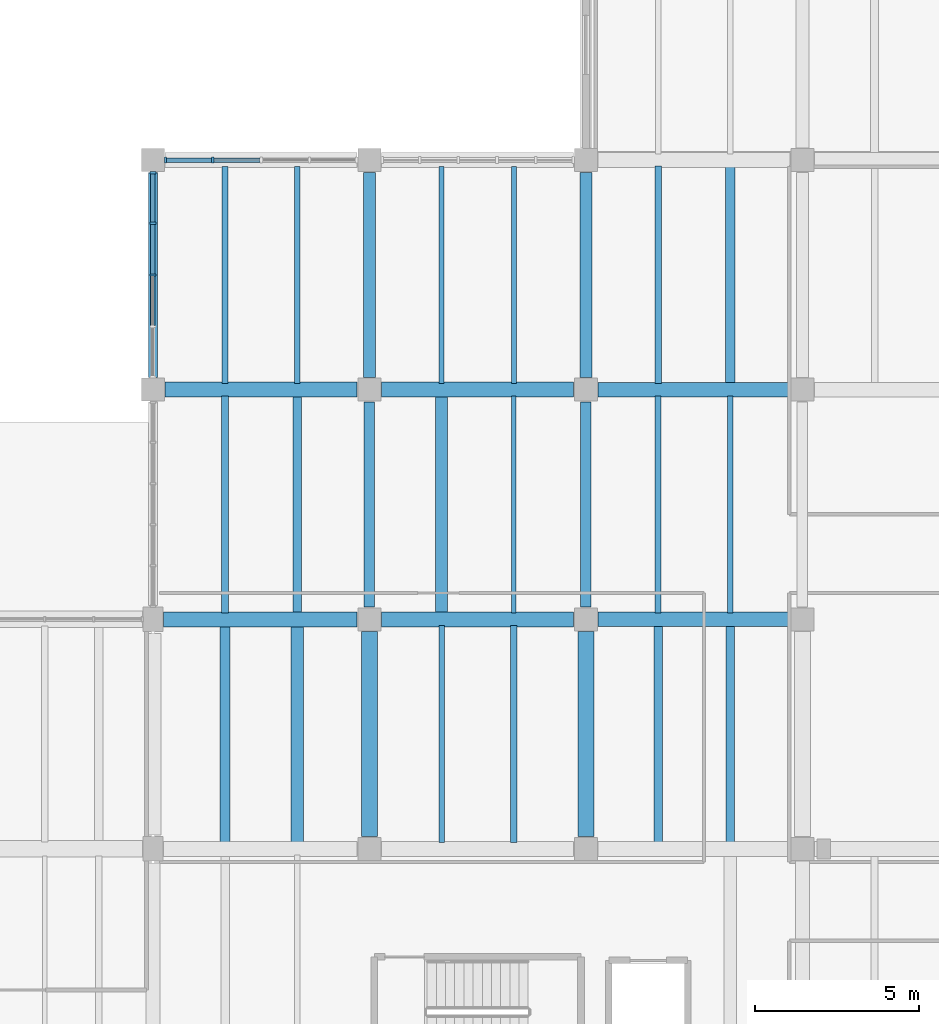
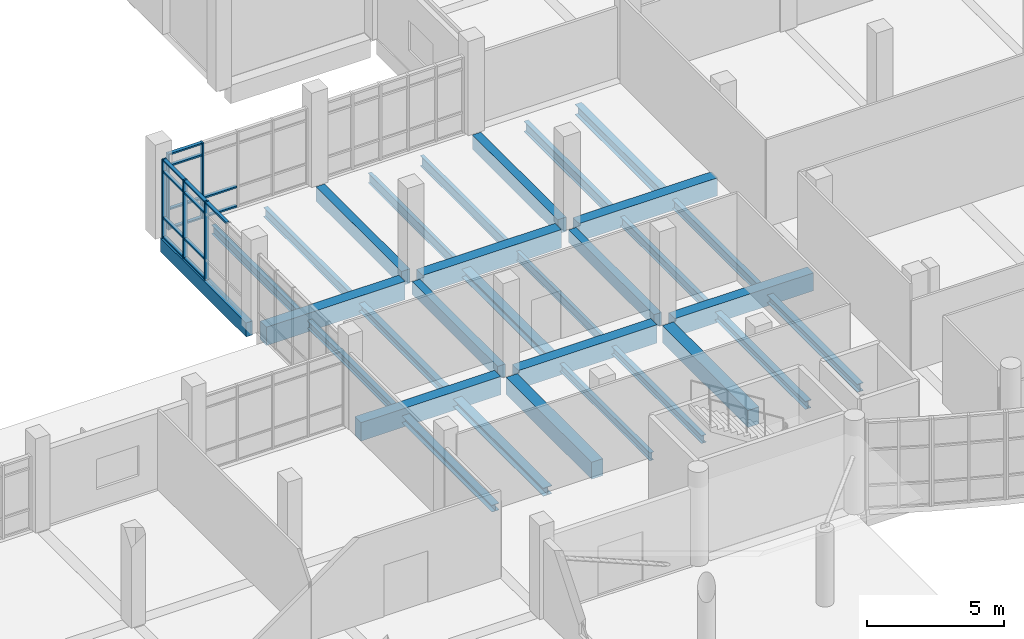
# One storey, part 7 of 69: 31 beams, 20 members, 2 elements without a shape of their own.
"""IFC4 building model written with IfcOpenShell, lengths in metres."""

from ifc_helpers import new_model, si_unit, direction, frame, origin, origin_2d, place, context, subcontext, project, spatial, rectangle, i_section, extrude, material, material_profile, profile_set, type_object, element, aggregate, save


model = new_model("IFC4")

# Units and contexts
model_context = context("Model", 3, precision=1e-05, world=origin(), true_north=direction((0.0, 1.0)))
body_context = subcontext(model_context, "Body", "Model", "MODEL_VIEW")
ifc_project = project(units=[si_unit("LENGTHUNIT", "METRE"), si_unit("AREAUNIT", "SQUARE_METRE"), si_unit("VOLUMEUNIT", "CUBIC_METRE"), si_unit("PLANEANGLEUNIT", "RADIAN"), si_unit("MASSUNIT", "GRAM", prefix="KILO")], contexts=[model_context])

# Site, building, storey
site_placement = place(None, origin())
site = spatial("IfcSite", under=ifc_project, at=site_placement, CompositionType="ELEMENT")
building_placement = place(site_placement, origin())
building = spatial("IfcBuilding", under=site, at=building_placement, Name="Ciguamira Faculty of Natural Sciences", CompositionType="ELEMENT")
storey_placement = place(building_placement, origin())
storey = spatial("IfcBuildingStorey", under=building, at=storey_placement, Name="L00", CompositionType="ELEMENT", Elevation=0.0)

# Curtain wall, members
ifc_material_1 = material(Name="Anodized aluminium curtain wall", Category="aluminium")
curtain_wall_type_1 = type_object("IfcCurtainWallType", Name="CurtainWall_CW-05", PredefinedType="USERDEFINED", material=ifc_material_1)
curtain_wall_1_placement = place(storey_placement, origin())
curtain_wall_1 = element("IfcCurtainWall", 1, at=curtain_wall_1_placement, inside=storey, type_object=curtain_wall_type_1, Name="L00 unitised curtain wall 0005", ObjectType="UNITISED CURTAIN WALL", PredefinedType="USERDEFINED")
ifc_material_2 = material(Name="Anodized aluminium mullion", Category="aluminium")
ifc_material_profile_1 = material_profile(ifc_material_2, rectangle(XDim=0.070068359375, YDim=0.179931640625, at=origin_2d()), Name="ALU-MUL-70X180")
ifc_profile_set_1 = profile_set([ifc_material_profile_1], Name="Anodized aluminium mullion")
member_type_1 = type_object("IfcMemberType", Name="CWMullion_CWM-02", PredefinedType="MULLION", material=ifc_profile_set_1)
member_1_placement = place(storey_placement, frame((51.0849609375, 38.0, 0.0), z_axis=(0.0, 0.0, 1.0), x_axis=(1.0, 0.0, 0.0)))
member_1 = element("IfcMember", 2, at=member_1_placement, type_object=member_type_1, Name="CW-05 mullion 1", PredefinedType="MULLION", context=body_context, shape_type="SweptSolid", body=[
    extrude(rectangle(XDim=0.070068359375, YDim=0.179931640625, at=origin_2d()), origin(), (0.0, 0.0, 1.0), 3.385009765625),
])
member_2_placement = place(storey_placement, frame((52.52490234375, 38.0, 0.0), z_axis=(0.0, 0.0, 1.0), x_axis=(1.0, 0.0, 0.0)))
member_2 = element("IfcMember", 3, at=member_2_placement, type_object=member_type_1, Name="CW-05 mullion 2", PredefinedType="MULLION", context=body_context, shape_type="SweptSolid", body=[
    extrude(rectangle(XDim=0.070068359375, YDim=0.179931640625, at=origin_2d()), origin(), (0.0, 0.0, 1.0), 3.385009765625),
])

curtain_wall_type_2 = type_object("IfcCurtainWallType", Name="CurtainWall_CW-11", PredefinedType="USERDEFINED", material=ifc_material_1)
curtain_wall_2_placement = place(storey_placement, origin())
curtain_wall_2 = element("IfcCurtainWall", 4, at=curtain_wall_2_placement, inside=storey, type_object=curtain_wall_type_2, Name="L00 unitised curtain wall 0023", ObjectType="UNITISED CURTAIN WALL", PredefinedType="USERDEFINED")
member_3_placement = place(storey_placement, frame((50.699951171875, 34.5, 0.0), z_axis=(0.0, 0.0, 1.0), x_axis=(0.0, 1.0, 0.0)))
member_3 = element("IfcMember", 5, at=member_3_placement, type_object=member_type_1, Name="CW-11 mullion 3", PredefinedType="MULLION", context=body_context, shape_type="SweptSolid", body=[
    extrude(rectangle(XDim=0.070068359375, YDim=0.179931640625, at=origin_2d()), origin(), (0.0, 0.0, 1.0), 3.5048828125),
])
member_4_placement = place(storey_placement, frame((50.699951171875, 36.074951171875, 0.0), z_axis=(0.0, 0.0, 1.0), x_axis=(0.0, 1.0, 0.0)))
member_4 = element("IfcMember", 6, at=member_4_placement, type_object=member_type_1, Name="CW-11 mullion 4", PredefinedType="MULLION", context=body_context, shape_type="SweptSolid", body=[
    extrude(rectangle(XDim=0.070068359375, YDim=0.179931640625, at=origin_2d()), origin(), (0.0, 0.0, 1.0), 3.5048828125),
])
member_5_placement = place(storey_placement, frame((50.699951171875, 37.614990234375, 0.0), z_axis=(0.0, 0.0, 1.0), x_axis=(0.0, 1.0, 0.0)))
member_5 = element("IfcMember", 7, at=member_5_placement, type_object=member_type_1, Name="CW-11 mullion 5", PredefinedType="MULLION", context=body_context, shape_type="SweptSolid", body=[
    extrude(rectangle(XDim=0.070068359375, YDim=0.179931640625, at=origin_2d()), origin(), (0.0, 0.0, 1.0), 3.5048828125),
])

# Member
ifc_material_3 = material(Name="Anodized aluminium transom", Category="aluminium")
ifc_material_profile_2 = material_profile(ifc_material_3, rectangle(XDim=0.070068359375, YDim=0.139892578125, at=origin_2d()), Name="ALU-TRN-70X140")
ifc_profile_set_2 = profile_set([ifc_material_profile_2], Name="Anodized aluminium transom")
member_type_2 = type_object("IfcMemberType", Name="CWTransom_CWT-02", PredefinedType="USERDEFINED", material=ifc_profile_set_2)
member_6_placement = place(storey_placement, frame((51.1201171875, 38.0, 0.034912109375), z_axis=(1.0, 0.0, 0.0), x_axis=(0.0, 0.0, 1.0)))
member_6 = element("IfcMember", 8, at=member_6_placement, type_object=member_type_2, Name="CW-05 transom 1.1", ObjectType="TRANSOM", PredefinedType="USERDEFINED", context=body_context, shape_type="SweptSolid", body=[
    extrude(rectangle(XDim=0.070068359375, YDim=0.139892578125, at=origin_2d()), origin(), (0.0, 0.0, 1.0), 1.369873046875),
])

member_7_placement = place(storey_placement, frame((51.1201171875, 38.0, 0.89990234375), z_axis=(1.0, 0.0, 0.0), x_axis=(0.0, 0.0, 1.0)))
member_7 = element("IfcMember", 9, at=member_7_placement, type_object=member_type_2, Name="CW-05 transom 1.2", ObjectType="TRANSOM", PredefinedType="USERDEFINED", context=body_context, shape_type="SweptSolid", body=[
    extrude(rectangle(XDim=0.070068359375, YDim=0.139892578125, at=origin_2d()), origin(), (0.0, 0.0, 1.0), 1.369873046875),
])

member_8_placement = place(storey_placement, frame((51.1201171875, 38.0, 2.8349609375), z_axis=(1.0, 0.0, 0.0), x_axis=(0.0, 0.0, 1.0)))
member_8 = element("IfcMember", 10, at=member_8_placement, type_object=member_type_2, Name="CW-05 transom 1.3", ObjectType="TRANSOM", PredefinedType="USERDEFINED", context=body_context, shape_type="SweptSolid", body=[
    extrude(rectangle(XDim=0.070068359375, YDim=0.139892578125, at=origin_2d()), origin(), (0.0, 0.0, 1.0), 1.369873046875),
])

member_9_placement = place(storey_placement, frame((51.1201171875, 38.0, 3.35009765625), z_axis=(1.0, 0.0, 0.0), x_axis=(0.0, 0.0, 1.0)))
member_9 = element("IfcMember", 11, at=member_9_placement, type_object=member_type_2, Name="CW-05 transom 1.4", ObjectType="TRANSOM", PredefinedType="USERDEFINED", context=body_context, shape_type="SweptSolid", body=[
    extrude(rectangle(XDim=0.070068359375, YDim=0.139892578125, at=origin_2d()), origin(), (0.0, 0.0, 1.0), 1.369873046875),
])

member_10_placement = place(storey_placement, frame((52.56005859375, 38.0, 0.034912109375), z_axis=(1.0, 0.0, 0.0), x_axis=(0.0, 0.0, 1.0)))
member_10 = element("IfcMember", 12, at=member_10_placement, type_object=member_type_2, Name="CW-05 transom 2.1", ObjectType="TRANSOM", PredefinedType="USERDEFINED", context=body_context, shape_type="SweptSolid", body=[
    extrude(rectangle(XDim=0.070068359375, YDim=0.139892578125, at=origin_2d()), origin(), (0.0, 0.0, 1.0), 1.405029296875),
])

member_11_placement = place(storey_placement, frame((52.56005859375, 38.0, 0.89990234375), z_axis=(1.0, 0.0, 0.0), x_axis=(0.0, 0.0, 1.0)))
member_11 = element("IfcMember", 13, at=member_11_placement, type_object=member_type_2, Name="CW-05 transom 2.2", ObjectType="TRANSOM", PredefinedType="USERDEFINED", context=body_context, shape_type="SweptSolid", body=[
    extrude(rectangle(XDim=0.070068359375, YDim=0.139892578125, at=origin_2d()), origin(), (0.0, 0.0, 1.0), 1.405029296875),
])

aggregate(curtain_wall_1, [member_1, member_2, member_6, member_7, member_8, member_9, member_10, member_11])

member_12_placement = place(storey_placement, frame((50.699951171875, 32.9599609375, 3.469970703125), z_axis=(0.0, 1.0, 0.0), x_axis=(0.0, 0.0, 1.0)))
member_12 = element("IfcMember", 14, at=member_12_placement, type_object=member_type_2, Name="CW-11 transom 2.4", ObjectType="TRANSOM", PredefinedType="USERDEFINED", context=body_context, shape_type="SweptSolid", body=[
    extrude(rectangle(XDim=0.070068359375, YDim=0.139892578125, at=origin_2d()), origin(), (0.0, 0.0, 1.0), 1.505126953125),
])

member_13_placement = place(storey_placement, frame((50.699951171875, 34.534912109375, 0.034912109375), z_axis=(0.0, 1.0, 0.0), x_axis=(0.0, 0.0, 1.0)))
member_13 = element("IfcMember", 15, at=member_13_placement, type_object=member_type_2, Name="CW-11 transom 3.1", ObjectType="TRANSOM", PredefinedType="USERDEFINED", context=body_context, shape_type="SweptSolid", body=[
    extrude(rectangle(XDim=0.070068359375, YDim=0.139892578125, at=origin_2d()), origin(), (0.0, 0.0, 1.0), 1.505126953125),
])

member_14_placement = place(storey_placement, frame((50.699951171875, 34.534912109375, 0.89990234375), z_axis=(0.0, 1.0, 0.0), x_axis=(0.0, 0.0, 1.0)))
member_14 = element("IfcMember", 16, at=member_14_placement, type_object=member_type_2, Name="CW-11 transom 3.2", ObjectType="TRANSOM", PredefinedType="USERDEFINED", context=body_context, shape_type="SweptSolid", body=[
    extrude(rectangle(XDim=0.070068359375, YDim=0.139892578125, at=origin_2d()), origin(), (0.0, 0.0, 1.0), 1.505126953125),
])

member_15_placement = place(storey_placement, frame((50.699951171875, 34.534912109375, 2.955078125), z_axis=(0.0, 1.0, 0.0), x_axis=(0.0, 0.0, 1.0)))
member_15 = element("IfcMember", 17, at=member_15_placement, type_object=member_type_2, Name="CW-11 transom 3.3", ObjectType="TRANSOM", PredefinedType="USERDEFINED", context=body_context, shape_type="SweptSolid", body=[
    extrude(rectangle(XDim=0.070068359375, YDim=0.139892578125, at=origin_2d()), origin(), (0.0, 0.0, 1.0), 1.505126953125),
])

member_16_placement = place(storey_placement, frame((50.699951171875, 34.534912109375, 3.469970703125), z_axis=(0.0, 1.0, 0.0), x_axis=(0.0, 0.0, 1.0)))
member_16 = element("IfcMember", 18, at=member_16_placement, type_object=member_type_2, Name="CW-11 transom 3.4", ObjectType="TRANSOM", PredefinedType="USERDEFINED", context=body_context, shape_type="SweptSolid", body=[
    extrude(rectangle(XDim=0.070068359375, YDim=0.139892578125, at=origin_2d()), origin(), (0.0, 0.0, 1.0), 1.505126953125),
])

member_17_placement = place(storey_placement, frame((50.699951171875, 36.110107421875, 0.034912109375), z_axis=(0.0, 1.0, 0.0), x_axis=(0.0, 0.0, 1.0)))
member_17 = element("IfcMember", 19, at=member_17_placement, type_object=member_type_2, Name="CW-11 transom 4.1", ObjectType="TRANSOM", PredefinedType="USERDEFINED", context=body_context, shape_type="SweptSolid", body=[
    extrude(rectangle(XDim=0.070068359375, YDim=0.139892578125, at=origin_2d()), origin(), (0.0, 0.0, 1.0), 1.469970703125),
])

member_18_placement = place(storey_placement, frame((50.699951171875, 36.110107421875, 0.89990234375), z_axis=(0.0, 1.0, 0.0), x_axis=(0.0, 0.0, 1.0)))
member_18 = element("IfcMember", 20, at=member_18_placement, type_object=member_type_2, Name="CW-11 transom 4.2", ObjectType="TRANSOM", PredefinedType="USERDEFINED", context=body_context, shape_type="SweptSolid", body=[
    extrude(rectangle(XDim=0.070068359375, YDim=0.139892578125, at=origin_2d()), origin(), (0.0, 0.0, 1.0), 1.469970703125),
])

member_19_placement = place(storey_placement, frame((50.699951171875, 36.110107421875, 2.955078125), z_axis=(0.0, 1.0, 0.0), x_axis=(0.0, 0.0, 1.0)))
member_19 = element("IfcMember", 21, at=member_19_placement, type_object=member_type_2, Name="CW-11 transom 4.3", ObjectType="TRANSOM", PredefinedType="USERDEFINED", context=body_context, shape_type="SweptSolid", body=[
    extrude(rectangle(XDim=0.070068359375, YDim=0.139892578125, at=origin_2d()), origin(), (0.0, 0.0, 1.0), 1.469970703125),
])

member_20_placement = place(storey_placement, frame((50.699951171875, 36.110107421875, 3.469970703125), z_axis=(0.0, 1.0, 0.0), x_axis=(0.0, 0.0, 1.0)))
member_20 = element("IfcMember", 22, at=member_20_placement, type_object=member_type_2, Name="CW-11 transom 4.4", ObjectType="TRANSOM", PredefinedType="USERDEFINED", context=body_context, shape_type="SweptSolid", body=[
    extrude(rectangle(XDim=0.070068359375, YDim=0.139892578125, at=origin_2d()), origin(), (0.0, 0.0, 1.0), 1.469970703125),
])

aggregate(curtain_wall_2, [member_3, member_4, member_5, member_12, member_13, member_14, member_15, member_16, member_17, member_18, member_19, member_20])

# Beams
ifc_material_4 = material(Name="Concrete C40/50", Category="concrete")
ifc_material_profile_3 = material_profile(ifc_material_4, rectangle(XDim=0.4599609375, YDim=0.820068359375, at=origin_2d()), Name="RC-BM-460X820")
ifc_profile_set_3 = profile_set([ifc_material_profile_3], Name="Concrete C40/50")
beam_type_1 = type_object("IfcBeamType", Name="RCBeam_BG-04_RC-BM-460X820", PredefinedType="BEAM", material=ifc_profile_set_3)
beam_1_placement = place(storey_placement, frame((51.02490234375, 24.0, -0.409912109375), z_axis=(1.0, 0.0, 0.0), x_axis=(0.0, 1.0, 0.0)))
element("IfcBeam", 23, at=beam_1_placement, inside=storey, type_object=beam_type_1, Name="L00 RC girder EW-0065", PredefinedType="BEAM", context=body_context, shape_type="SweptSolid", body=[
    extrude(rectangle(XDim=0.4599609375, YDim=0.820068359375, at=origin_2d()), origin(), (0.0, 0.0, 1.0), 5.900146484375),
])
beam_2_placement = place(storey_placement, frame((57.675048828125, 24.0, -0.409912109375), z_axis=(1.0, 0.0, 0.0), x_axis=(0.0, 1.0, 0.0)))
element("IfcBeam", 24, at=beam_2_placement, inside=storey, type_object=beam_type_1, Name="L00 RC girder EW-0066", PredefinedType="BEAM", context=body_context, shape_type="SweptSolid", body=[
    extrude(rectangle(XDim=0.4599609375, YDim=0.820068359375, at=origin_2d()), origin(), (0.0, 0.0, 1.0), 5.849853515625),
])
beam_3_placement = place(storey_placement, frame((51.074951171875, 31.0, -0.409912109375), z_axis=(1.0, 0.0, 0.0), x_axis=(0.0, 1.0, 0.0)))
element("IfcBeam", 25, at=beam_3_placement, inside=storey, type_object=beam_type_1, Name="L00 RC girder EW-0078", PredefinedType="BEAM", context=body_context, shape_type="SweptSolid", body=[
    extrude(rectangle(XDim=0.4599609375, YDim=0.820068359375, at=origin_2d()), origin(), (0.0, 0.0, 1.0), 5.85009765625),
])
beam_4_placement = place(storey_placement, frame((57.675048828125, 31.0, -0.409912109375), z_axis=(1.0, 0.0, 0.0), x_axis=(0.0, 1.0, 0.0)))
element("IfcBeam", 26, at=beam_4_placement, inside=storey, type_object=beam_type_1, Name="L00 RC girder EW-0079", PredefinedType="BEAM", context=body_context, shape_type="SweptSolid", body=[
    extrude(rectangle(XDim=0.4599609375, YDim=0.820068359375, at=origin_2d()), origin(), (0.0, 0.0, 1.0), 5.849853515625),
])
ifc_material_profile_4 = material_profile(ifc_material_4, rectangle(XDim=0.449951171875, YDim=0.800048828125, at=origin_2d()), Name="RC-BM-450X800")
ifc_profile_set_4 = profile_set([ifc_material_profile_4], Name="Concrete C40/50")
beam_type_2 = type_object("IfcBeamType", Name="RCBeam_BG-05_RC-BM-450X800", PredefinedType="BEAM", material=ifc_profile_set_4)
for number, where, z_axis, x_axis, name in (
    (27, (64.27490234375, 24.0, -0.39990234375), (1.0, 0.0, 0.0), (0.0, 1.0, 0.0), "L00 RC girder EW-0067"),
    (28, (64.27490234375, 31.0, -0.39990234375), (1.0, 0.0, 0.0), (0.0, 1.0, 0.0), "L00 RC girder EW-0080"),
):
    element("IfcBeam", number, at=place(storey_placement, frame(where, z_axis=z_axis, x_axis=x_axis)), inside=storey, type_object=beam_type_2, Name=name, PredefinedType="BEAM", context=body_context, shape_type="SweptSolid", body=[
        extrude(rectangle(XDim=0.449951171875, YDim=0.800048828125, at=origin_2d()), origin(), (0.0, 0.0, 1.0), 5.85009765625),
    ])
ifc_material_profile_5 = material_profile(ifc_material_4, rectangle(XDim=0.360107421875, YDim=0.639892578125, at=origin_2d()), Name="RC-BM-360X640")
ifc_profile_set_5 = profile_set([ifc_material_profile_5], Name="Concrete C40/50")
beam_type_3 = type_object("IfcBeamType", Name="RCBeam_BG-10_RC-BM-360X640", PredefinedType="BEAM", material=ifc_profile_set_5)
for number, where, z_axis, x_axis, name in (
    (29, (57.300048828125, 31.375, -0.320068359375), (0.0, 1.0, 0.0), (-1.0, 0.0, 0.0), "L00 girder NS-0220"),
    (30, (63.89990234375, 31.375, -0.320068359375), (0.0, 1.0, 0.0), (-1.0, 0.0, 0.0), "L00 girder NS-0231"),
):
    element("IfcBeam", number, at=place(storey_placement, frame(where, z_axis=z_axis, x_axis=x_axis)), inside=storey, type_object=beam_type_3, Name=name, PredefinedType="BEAM", context=body_context, shape_type="SweptSolid", body=[
        extrude(rectangle(XDim=0.360107421875, YDim=0.639892578125, at=origin_2d()), origin(), (0.0, 0.0, 1.0), 6.25),
    ])
ifc_material_profile_6 = material_profile(ifc_material_4, rectangle(XDim=0.320068359375, YDim=0.56005859375, at=origin_2d()), Name="RC-BM-320X560")
ifc_profile_set_6 = profile_set([ifc_material_profile_6], Name="Concrete C40/50")
beam_type_4 = type_object("IfcBeamType", Name="RCBeam_BG-12_RC-BM-320X560", PredefinedType="BEAM", material=ifc_profile_set_6)
for number, where, z_axis, x_axis, name in (
    (31, (57.300048828125, 24.375, -0.280029296875), (0.0, 1.0, 0.0), (-1.0, 0.0, 0.0), "L00 girder NS-0219"),
    (32, (63.89990234375, 24.375, -0.280029296875), (0.0, 1.0, 0.0), (-1.0, 0.0, 0.0), "L00 girder NS-0230"),
):
    element("IfcBeam", number, at=place(storey_placement, frame(where, z_axis=z_axis, x_axis=x_axis)), inside=storey, type_object=beam_type_4, Name=name, PredefinedType="BEAM", context=body_context, shape_type="SweptSolid", body=[
        extrude(rectangle(XDim=0.320068359375, YDim=0.56005859375, at=origin_2d()), origin(), (0.0, 0.0, 1.0), 6.25),
    ])
ifc_material_5 = material(Name="Precast concrete C40/50", Category="concrete")
ifc_material_profile_7 = material_profile(ifc_material_5, rectangle(XDim=0.280029296875, YDim=0.6201171875, at=origin_2d()), Name="RC-SP-280X620")
ifc_profile_set_7 = profile_set([ifc_material_profile_7], Name="Precast concrete C40/50")
beam_type_5 = type_object("IfcBeamType", Name="RCBeam_SP-01_RC-SP-280X620", PredefinedType="SPANDREL", material=ifc_profile_set_7)
beam_5_placement = place(storey_placement, frame((50.699951171875, 31.375, -0.31005859375), z_axis=(0.0, 1.0, 0.0), x_axis=(-1.0, 0.0, 0.0)))
element("IfcBeam", 33, at=beam_5_placement, inside=storey, type_object=beam_type_5, Name="L00 girder NS-0217", PredefinedType="SPANDREL", context=body_context, shape_type="SweptSolid", body=[
    extrude(rectangle(XDim=0.280029296875, YDim=0.6201171875, at=origin_2d()), origin(), (0.0, 0.0, 1.0), 6.25),
])
ifc_material_profile_8 = material_profile(ifc_material_4, rectangle(XDim=0.47998046875, YDim=0.760009765625, at=origin_2d()), Name="RC-TB-480X760")
ifc_profile_set_8 = profile_set([ifc_material_profile_8], Name="Concrete C40/50")
beam_type_6 = type_object("IfcBeamType", Name="RCBeam_TB-01_RC-TB-480X760", PredefinedType="T_BEAM", material=ifc_profile_set_8)
for number, where, z_axis, x_axis, name in (
    (34, (57.300048828125, 17.375, -0.3798828125), (0.0, 1.0, 0.0), (-1.0, 0.0, 0.0), "L00 girder NS-0218"),
    (35, (63.89990234375, 17.375, -0.3798828125), (0.0, 1.0, 0.0), (-1.0, 0.0, 0.0), "L00 girder NS-0229"),
):
    element("IfcBeam", number, at=place(storey_placement, frame(where, z_axis=z_axis, x_axis=x_axis)), inside=storey, type_object=beam_type_6, Name=name, PredefinedType="T_BEAM", context=body_context, shape_type="SweptSolid", body=[
        extrude(rectangle(XDim=0.47998046875, YDim=0.760009765625, at=origin_2d()), origin(), (0.0, 0.0, 1.0), 6.25),
    ])
ifc_material_6 = material(Name="Steel ASTM A992 Grade 50", Category="steel")
ifc_material_profile_9 = material_profile(ifc_material_6, i_section(OverallWidth=0.3046875, OverallDepth=0.307373046875, WebThickness=0.010009765625, FlangeThickness=0.015380859375, at=origin_2d()), Name="W12X65")
ifc_profile_set_9 = profile_set([ifc_material_profile_9], Name="Steel ASTM A992 Grade 50")
beam_type_7 = type_object("IfcBeamType", Name="SteelJoist_SJ-08_W12X65", PredefinedType="JOIST", material=ifc_profile_set_9)
beam_6_placement = place(storey_placement, frame((52.89990234375, 17.18994140625, -0.45361328125), z_axis=(0.0, 1.0, 0.0), x_axis=(-1.0, 0.0, 0.0)))
element("IfcBeam", 36, at=beam_6_placement, inside=storey, type_object=beam_type_7, Name="L00 composite steel joist 00059", PredefinedType="JOIST", context=body_context, shape_type="SweptSolid", body=[
    extrude(i_section(OverallWidth=0.3046875, OverallDepth=0.307373046875, WebThickness=0.010009765625, FlangeThickness=0.015380859375, at=origin_2d()), origin(), (0.0, 0.0, 1.0), 6.6201171875),
])
ifc_material_profile_10 = material_profile(ifc_material_6, i_section(OverallWidth=0.370849609375, OverallDepth=0.36328125, WebThickness=0.013427734375, FlangeThickness=0.021728515625, at=origin_2d()), Name="W14X109")
ifc_profile_set_10 = profile_set([ifc_material_profile_10], Name="Steel ASTM A992 Grade 50")
beam_type_8 = type_object("IfcBeamType", Name="SteelJoist_SJ-09_W14X109", PredefinedType="JOIST", material=ifc_profile_set_10)
beam_7_placement = place(storey_placement, frame((55.10009765625, 17.18994140625, -0.481689453125), z_axis=(0.0, 1.0, 0.0), x_axis=(-1.0, 0.0, 0.0)))
element("IfcBeam", 37, at=beam_7_placement, inside=storey, type_object=beam_type_8, Name="L00 composite steel joist 00060", PredefinedType="JOIST", context=body_context, shape_type="SweptSolid", body=[
    extrude(i_section(OverallWidth=0.370849609375, OverallDepth=0.36328125, WebThickness=0.013427734375, FlangeThickness=0.021728515625, at=origin_2d()), origin(), (0.0, 0.0, 1.0), 6.6201171875),
])
ifc_material_profile_11 = material_profile(ifc_material_6, i_section(OverallWidth=0.1708984375, OverallDepth=0.3505859375, WebThickness=0.0068359375, FlangeThickness=0.009765625, at=origin_2d()), Name="W14X30")
ifc_profile_set_11 = profile_set([ifc_material_profile_11], Name="Steel ASTM A992 Grade 50")
beam_type_9 = type_object("IfcBeamType", Name="SteelJoist_SJ-11_W14X30", PredefinedType="JOIST", material=ifc_profile_set_11)
beam_8_placement = place(storey_placement, frame((59.5, 17.18994140625, -0.475341796875), z_axis=(0.0, 1.0, 0.0), x_axis=(-1.0, 0.0, 0.0)))
element("IfcBeam", 38, at=beam_8_placement, inside=storey, type_object=beam_type_9, Name="L00 composite steel joist 00065", PredefinedType="JOIST", context=body_context, shape_type="SweptSolid", body=[
    extrude(i_section(OverallWidth=0.1708984375, OverallDepth=0.3505859375, WebThickness=0.0068359375, FlangeThickness=0.009765625, at=origin_2d()), origin(), (0.0, 0.0, 1.0), 6.6201171875),
])
ifc_material_profile_12 = material_profile(ifc_material_6, i_section(OverallWidth=0.203125, OverallDepth=0.347900390625, WebThickness=0.0078125, FlangeThickness=0.013427734375, at=origin_2d()), Name="W14X43")
ifc_profile_set_12 = profile_set([ifc_material_profile_12], Name="Steel ASTM A992 Grade 50")
beam_type_10 = type_object("IfcBeamType", Name="SteelJoist_SJ-12_W14X43", PredefinedType="JOIST", material=ifc_profile_set_12)
beam_9_placement = place(storey_placement, frame((61.699951171875, 17.18994140625, -0.47412109375), z_axis=(0.0, 1.0, 0.0), x_axis=(-1.0, 0.0, 0.0)))
element("IfcBeam", 39, at=beam_9_placement, inside=storey, type_object=beam_type_10, Name="L00 composite steel joist 00066", PredefinedType="JOIST", context=body_context, shape_type="SweptSolid", body=[
    extrude(i_section(OverallWidth=0.203125, OverallDepth=0.347900390625, WebThickness=0.0078125, FlangeThickness=0.013427734375, at=origin_2d()), origin(), (0.0, 0.0, 1.0), 6.6201171875),
])
ifc_material_profile_13 = material_profile(ifc_material_6, i_section(OverallWidth=0.204833984375, OverallDepth=0.35302734375, WebThickness=0.00927734375, FlangeThickness=0.016845703125, at=origin_2d()), Name="W14X53")
ifc_profile_set_13 = profile_set([ifc_material_profile_13], Name="Steel ASTM A992 Grade 50")
beam_type_11 = type_object("IfcBeamType", Name="SteelJoist_SJ-13_W14X53", PredefinedType="JOIST", material=ifc_profile_set_13)
beam_10_placement = place(storey_placement, frame((52.89990234375, 24.18994140625, -0.4765625), z_axis=(0.0, 1.0, 0.0), x_axis=(-1.0, 0.0, 0.0)))
element("IfcBeam", 40, at=beam_10_placement, inside=storey, type_object=beam_type_11, Name="L00 composite steel joist 00061", PredefinedType="JOIST", context=body_context, shape_type="SweptSolid", body=[
    extrude(i_section(OverallWidth=0.204833984375, OverallDepth=0.35302734375, WebThickness=0.00927734375, FlangeThickness=0.016845703125, at=origin_2d()), origin(), (0.0, 0.0, 1.0), 6.6201171875),
])
ifc_material_profile_14 = material_profile(ifc_material_6, i_section(OverallWidth=0.25390625, OverallDepth=0.355712890625, WebThickness=0.010498046875, FlangeThickness=0.018310546875, at=origin_2d()), Name="W14X68")
ifc_profile_set_14 = profile_set([ifc_material_profile_14], Name="Steel ASTM A992 Grade 50")
beam_type_12 = type_object("IfcBeamType", Name="SteelJoist_SJ-14_W14X68", PredefinedType="JOIST", material=ifc_profile_set_14)
beam_11_placement = place(storey_placement, frame((55.10009765625, 24.18994140625, -0.477783203125), z_axis=(0.0, 1.0, 0.0), x_axis=(-1.0, 0.0, 0.0)))
element("IfcBeam", 41, at=beam_11_placement, inside=storey, type_object=beam_type_12, Name="L00 composite steel joist 00062", PredefinedType="JOIST", context=body_context, shape_type="SweptSolid", body=[
    extrude(i_section(OverallWidth=0.25390625, OverallDepth=0.355712890625, WebThickness=0.010498046875, FlangeThickness=0.018310546875, at=origin_2d()), origin(), (0.0, 0.0, 1.0), 6.6201171875),
])
beam_12_placement = place(storey_placement, frame((66.10009765625, 17.18505859375, -0.477783203125), z_axis=(0.0, 1.0, 0.0), x_axis=(-1.0, 0.0, 0.0)))
element("IfcBeam", 42, at=beam_12_placement, inside=storey, type_object=beam_type_12, Name="L00 composite steel joist 00093", PredefinedType="JOIST", context=body_context, shape_type="SweptSolid", body=[
    extrude(i_section(OverallWidth=0.25390625, OverallDepth=0.355712890625, WebThickness=0.010498046875, FlangeThickness=0.018310546875, at=origin_2d()), origin(), (0.0, 0.0, 1.0), 6.6298828125),
])
ifc_material_profile_15 = material_profile(ifc_material_6, i_section(OverallWidth=0.256591796875, OverallDepth=0.36328125, WebThickness=0.012939453125, FlangeThickness=0.021728515625, at=origin_2d()), Name="W14X82")
ifc_profile_set_15 = profile_set([ifc_material_profile_15], Name="Steel ASTM A992 Grade 50")
beam_type_13 = type_object("IfcBeamType", Name="SteelJoist_SJ-15_W14X82", PredefinedType="JOIST", material=ifc_profile_set_15)
beam_13_placement = place(storey_placement, frame((68.300048828125, 17.18505859375, -0.481689453125), z_axis=(0.0, 1.0, 0.0), x_axis=(-1.0, 0.0, 0.0)))
element("IfcBeam", 43, at=beam_13_placement, inside=storey, type_object=beam_type_13, Name="L00 composite steel joist 00094", PredefinedType="JOIST", context=body_context, shape_type="SweptSolid", body=[
    extrude(i_section(OverallWidth=0.256591796875, OverallDepth=0.36328125, WebThickness=0.012939453125, FlangeThickness=0.021728515625, at=origin_2d()), origin(), (0.0, 0.0, 1.0), 6.6298828125),
])
ifc_material_profile_16 = material_profile(ifc_material_6, i_section(OverallWidth=0.368408203125, OverallDepth=0.355712890625, WebThickness=0.01123046875, FlangeThickness=0.01806640625, at=origin_2d()), Name="W14X90")
ifc_profile_set_16 = profile_set([ifc_material_profile_16], Name="Steel ASTM A992 Grade 50")
beam_type_14 = type_object("IfcBeamType", Name="SteelJoist_SJ-16_W14X90", PredefinedType="JOIST", material=ifc_profile_set_16)
beam_14_placement = place(storey_placement, frame((59.5, 24.18994140625, -0.477783203125), z_axis=(0.0, 1.0, 0.0), x_axis=(-1.0, 0.0, 0.0)))
element("IfcBeam", 44, at=beam_14_placement, inside=storey, type_object=beam_type_14, Name="L00 composite steel joist 00067", PredefinedType="JOIST", context=body_context, shape_type="SweptSolid", body=[
    extrude(i_section(OverallWidth=0.368408203125, OverallDepth=0.355712890625, WebThickness=0.01123046875, FlangeThickness=0.01806640625, at=origin_2d()), origin(), (0.0, 0.0, 1.0), 6.6201171875),
])
ifc_material_profile_17 = material_profile(ifc_material_6, i_section(OverallWidth=0.140380859375, OverallDepth=0.40380859375, WebThickness=0.007080078125, FlangeThickness=0.01123046875, at=origin_2d()), Name="W16X31")
ifc_profile_set_17 = profile_set([ifc_material_profile_17], Name="Steel ASTM A992 Grade 50")
beam_type_15 = type_object("IfcBeamType", Name="SteelJoist_SJ-17_W16X31", PredefinedType="JOIST", material=ifc_profile_set_17)
beam_15_placement = place(storey_placement, frame((61.699951171875, 24.18994140625, -0.501953125), z_axis=(0.0, 1.0, 0.0), x_axis=(-1.0, 0.0, 0.0)))
element("IfcBeam", 45, at=beam_15_placement, inside=storey, type_object=beam_type_15, Name="L00 composite steel joist 00068", PredefinedType="JOIST", context=body_context, shape_type="SweptSolid", body=[
    extrude(i_section(OverallWidth=0.140380859375, OverallDepth=0.40380859375, WebThickness=0.007080078125, FlangeThickness=0.01123046875, at=origin_2d()), origin(), (0.0, 0.0, 1.0), 6.6201171875),
])
ifc_material_profile_18 = material_profile(ifc_material_6, i_section(OverallWidth=0.177490234375, OverallDepth=0.40380859375, WebThickness=0.007568359375, FlangeThickness=0.010986328125, at=origin_2d()), Name="W16X36")
ifc_profile_set_18 = profile_set([ifc_material_profile_18], Name="Steel ASTM A992 Grade 50")
beam_type_16 = type_object("IfcBeamType", Name="SteelJoist_SJ-18_W16X36", PredefinedType="JOIST", material=ifc_profile_set_18)
beam_16_placement = place(storey_placement, frame((52.89990234375, 31.18994140625, -0.501953125), z_axis=(0.0, 1.0, 0.0), x_axis=(-1.0, 0.0, 0.0)))
element("IfcBeam", 46, at=beam_16_placement, inside=storey, type_object=beam_type_16, Name="L00 composite steel joist 00063", PredefinedType="JOIST", context=body_context, shape_type="SweptSolid", body=[
    extrude(i_section(OverallWidth=0.177490234375, OverallDepth=0.40380859375, WebThickness=0.007568359375, FlangeThickness=0.010986328125, at=origin_2d()), origin(), (0.0, 0.0, 1.0), 6.6201171875),
])
ifc_material_profile_19 = material_profile(ifc_material_6, i_section(OverallWidth=0.1787109375, OverallDepth=0.408935546875, WebThickness=0.0087890625, FlangeThickness=0.014404296875, at=origin_2d()), Name="W16X45")
ifc_profile_set_19 = profile_set([ifc_material_profile_19], Name="Steel ASTM A992 Grade 50")
beam_type_17 = type_object("IfcBeamType", Name="SteelJoist_SJ-19_W16X45", PredefinedType="JOIST", material=ifc_profile_set_19)
beam_17_placement = place(storey_placement, frame((55.10009765625, 31.18994140625, -0.50439453125), z_axis=(0.0, 1.0, 0.0), x_axis=(-1.0, 0.0, 0.0)))
element("IfcBeam", 47, at=beam_17_placement, inside=storey, type_object=beam_type_17, Name="L00 composite steel joist 00064", PredefinedType="JOIST", context=body_context, shape_type="SweptSolid", body=[
    extrude(i_section(OverallWidth=0.1787109375, OverallDepth=0.408935546875, WebThickness=0.0087890625, FlangeThickness=0.014404296875, at=origin_2d()), origin(), (0.0, 0.0, 1.0), 6.6201171875),
])
beam_18_placement = place(storey_placement, frame((66.10009765625, 24.18505859375, -0.50439453125), z_axis=(0.0, 1.0, 0.0), x_axis=(-1.0, 0.0, 0.0)))
element("IfcBeam", 48, at=beam_18_placement, inside=storey, type_object=beam_type_17, Name="L00 composite steel joist 00095", PredefinedType="JOIST", context=body_context, shape_type="SweptSolid", body=[
    extrude(i_section(OverallWidth=0.1787109375, OverallDepth=0.408935546875, WebThickness=0.0087890625, FlangeThickness=0.014404296875, at=origin_2d()), origin(), (0.0, 0.0, 1.0), 6.6298828125),
])
ifc_material_profile_20 = material_profile(ifc_material_6, i_section(OverallWidth=0.180908203125, OverallDepth=0.41650390625, WebThickness=0.010986328125, FlangeThickness=0.01806640625, at=origin_2d()), Name="W16X57")
ifc_profile_set_20 = profile_set([ifc_material_profile_20], Name="Steel ASTM A992 Grade 50")
beam_type_18 = type_object("IfcBeamType", Name="SteelJoist_SJ-20_W16X57", PredefinedType="JOIST", material=ifc_profile_set_20)
beam_19_placement = place(storey_placement, frame((68.300048828125, 24.18505859375, -0.50830078125), z_axis=(0.0, 1.0, 0.0), x_axis=(-1.0, 0.0, 0.0)))
element("IfcBeam", 49, at=beam_19_placement, inside=storey, type_object=beam_type_18, Name="L00 composite steel joist 00096", PredefinedType="JOIST", context=body_context, shape_type="SweptSolid", body=[
    extrude(i_section(OverallWidth=0.180908203125, OverallDepth=0.41650390625, WebThickness=0.010986328125, FlangeThickness=0.01806640625, at=origin_2d()), origin(), (0.0, 0.0, 1.0), 6.6298828125),
])
ifc_material_profile_21 = material_profile(ifc_material_6, i_section(OverallWidth=0.15234375, OverallDepth=0.449462890625, WebThickness=0.007568359375, FlangeThickness=0.0107421875, at=origin_2d()), Name="W18X35")
ifc_profile_set_21 = profile_set([ifc_material_profile_21], Name="Steel ASTM A992 Grade 50")
beam_type_19 = type_object("IfcBeamType", Name="SteelJoist_SJ-21_W18X35", PredefinedType="JOIST", material=ifc_profile_set_21)
beam_20_placement = place(storey_placement, frame((59.5, 31.18994140625, -0.52490234375), z_axis=(0.0, 1.0, 0.0), x_axis=(-1.0, 0.0, 0.0)))
element("IfcBeam", 50, at=beam_20_placement, inside=storey, type_object=beam_type_19, Name="L00 composite steel joist 00069", PredefinedType="JOIST", context=body_context, shape_type="SweptSolid", body=[
    extrude(i_section(OverallWidth=0.15234375, OverallDepth=0.449462890625, WebThickness=0.007568359375, FlangeThickness=0.0107421875, at=origin_2d()), origin(), (0.0, 0.0, 1.0), 6.6201171875),
])
ifc_material_profile_22 = material_profile(ifc_material_6, i_section(OverallWidth=0.15283203125, OverallDepth=0.45458984375, WebThickness=0.008056640625, FlangeThickness=0.013427734375, at=origin_2d()), Name="W18X40")
ifc_profile_set_22 = profile_set([ifc_material_profile_22], Name="Steel ASTM A992 Grade 50")
beam_type_20 = type_object("IfcBeamType", Name="SteelJoist_SJ-22_W18X40", PredefinedType="JOIST", material=ifc_profile_set_22)
beam_21_placement = place(storey_placement, frame((61.699951171875, 31.18994140625, -0.52734375), z_axis=(0.0, 1.0, 0.0), x_axis=(-1.0, 0.0, 0.0)))
element("IfcBeam", 51, at=beam_21_placement, inside=storey, type_object=beam_type_20, Name="L00 composite steel joist 00070", PredefinedType="JOIST", context=body_context, shape_type="SweptSolid", body=[
    extrude(i_section(OverallWidth=0.15283203125, OverallDepth=0.45458984375, WebThickness=0.008056640625, FlangeThickness=0.013427734375, at=origin_2d()), origin(), (0.0, 0.0, 1.0), 6.6201171875),
])
ifc_material_profile_23 = material_profile(ifc_material_6, i_section(OverallWidth=0.19287109375, OverallDepth=0.46728515625, WebThickness=0.011474609375, FlangeThickness=0.01904296875, at=origin_2d()), Name="W18X65")
ifc_profile_set_23 = profile_set([ifc_material_profile_23], Name="Steel ASTM A992 Grade 50")
beam_type_21 = type_object("IfcBeamType", Name="SteelJoist_SJ-24_W18X65", PredefinedType="JOIST", material=ifc_profile_set_23)
beam_22_placement = place(storey_placement, frame((66.10009765625, 31.18505859375, -0.53369140625), z_axis=(0.0, 1.0, 0.0), x_axis=(-1.0, 0.0, 0.0)))
element("IfcBeam", 52, at=beam_22_placement, inside=storey, type_object=beam_type_21, Name="L00 composite steel joist 00097", PredefinedType="JOIST", context=body_context, shape_type="SweptSolid", body=[
    extrude(i_section(OverallWidth=0.19287109375, OverallDepth=0.46728515625, WebThickness=0.011474609375, FlangeThickness=0.01904296875, at=origin_2d()), origin(), (0.0, 0.0, 1.0), 6.6298828125),
])
ifc_material_profile_24 = material_profile(ifc_material_6, i_section(OverallWidth=0.279296875, OverallDepth=0.462158203125, WebThickness=0.0107421875, FlangeThickness=0.017333984375, at=origin_2d()), Name="W18X76")
ifc_profile_set_24 = profile_set([ifc_material_profile_24], Name="Steel ASTM A992 Grade 50")
beam_type_22 = type_object("IfcBeamType", Name="SteelJoist_SJ-25_W18X76", PredefinedType="JOIST", material=ifc_profile_set_24)
beam_23_placement = place(storey_placement, frame((68.300048828125, 31.18505859375, -0.531005859375), z_axis=(0.0, 1.0, 0.0), x_axis=(-1.0, 0.0, 0.0)))
element("IfcBeam", 53, at=beam_23_placement, inside=storey, type_object=beam_type_22, Name="L00 composite steel joist 00098", PredefinedType="JOIST", context=body_context, shape_type="SweptSolid", body=[
    extrude(i_section(OverallWidth=0.279296875, OverallDepth=0.462158203125, WebThickness=0.0107421875, FlangeThickness=0.017333984375, at=origin_2d()), origin(), (0.0, 0.0, 1.0), 6.6298828125),
])

save(model, "model.ifc")
